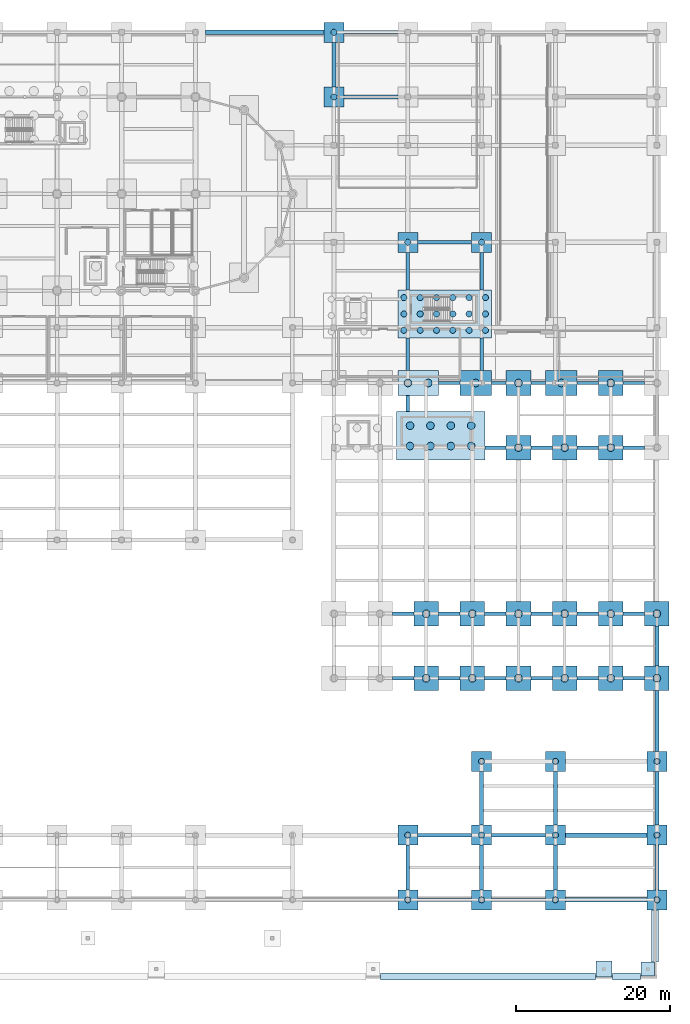
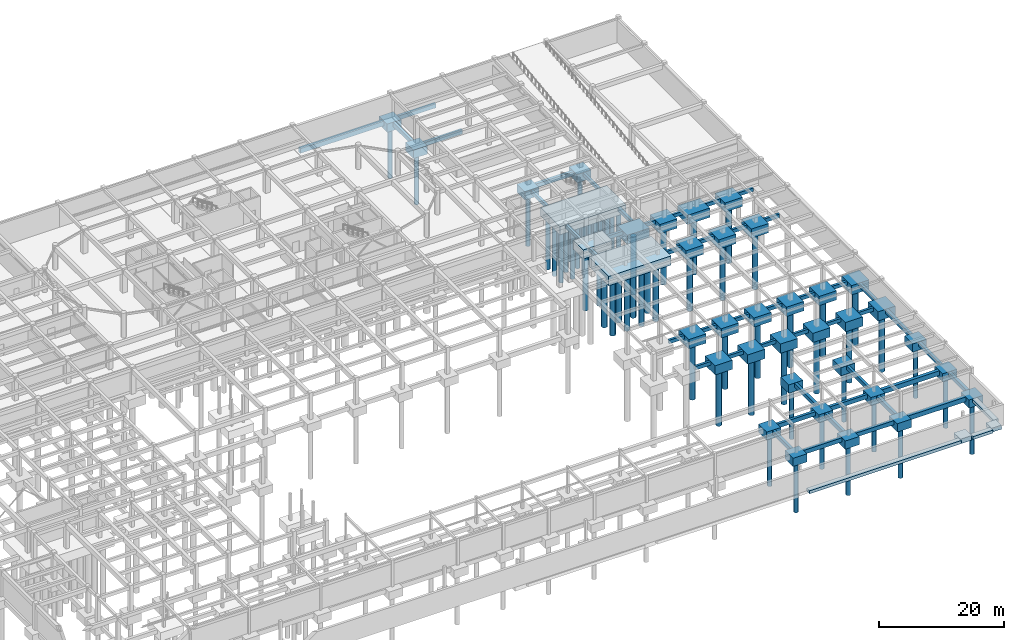
# One storey, part 6 of 37: 88 footings, 62 piles.
"""IFC4 building model written with IfcOpenShell, lengths in metres."""

from ifc_helpers import new_model, si_unit, direction, frame, origin, origin_2d, place, context, subcontext, project, spatial, rectangle, circle, extrude, material, material_profile, profile_set, type_object, element, save


model = new_model("IFC4")

# Units and contexts
model_context = context("Model", 3, precision=1e-05, world=origin(), true_north=direction((0.0, 1.0)))
body_context = subcontext(model_context, "Body", "Model", "MODEL_VIEW")
ifc_project = project(units=[si_unit("LENGTHUNIT", "METRE"), si_unit("AREAUNIT", "SQUARE_METRE"), si_unit("VOLUMEUNIT", "CUBIC_METRE"), si_unit("PLANEANGLEUNIT", "RADIAN"), si_unit("MASSUNIT", "GRAM", prefix="KILO")], contexts=[model_context])

# Site, building, storey
site_placement = place(None, origin())
site = spatial("IfcSite", under=ifc_project, at=site_placement, CompositionType="ELEMENT")
building_placement = place(site_placement, origin())
building = spatial("IfcBuilding", under=site, at=building_placement, Name="Tarnavel Promenade Courthouse", CompositionType="ELEMENT")
storey_placement = place(building_placement, frame((0.0, 0.0, -4.800048828125)))
storey = spatial("IfcBuildingStorey", under=building, at=storey_placement, Name="B01", CompositionType="ELEMENT", Elevation=-4.800048828125)

# Piles
ifc_material_1 = material(Name="Concrete C30/37", Category="concrete")
ifc_material_profile_1 = material_profile(ifc_material_1, circle(Radius=0.5, at=origin_2d()), Name="PILE D1000")
ifc_profile_set_1 = profile_set([ifc_material_profile_1], Name="Concrete C30/37")
pile_type_1 = type_object("IfcPileType", Name="Concrete C30/37 PIL-D1000 (PILE D1000)", PredefinedType="BORED", material=ifc_profile_set_1)
for number, where, z_axis, x_axis, name in (
    (1, (132.0, 28.800048828125, -2.119873046875), (0.0, 0.0, -1.0), (1.0, 0.0, 0.0), "Bored Pile 051-11"),
    (2, (138.0, 28.800048828125, -2.119873046875), (0.0, 0.0, -1.0), (1.0, 0.0, 0.0), "Bored Pile 052-11"),
    (3, (144.0, 28.800048828125, -2.119873046875), (0.0, 0.0, -1.0), (1.0, 0.0, 0.0), "Bored Pile 053-11"),
    (4, (150.0, 28.800048828125, -2.119873046875), (0.0, 0.0, -1.0), (1.0, 0.0, 0.0), "Bored Pile 054-11"),
    (5, (156.0, 28.800048828125, -2.119873046875), (0.0, 0.0, -1.0), (1.0, 0.0, 0.0), "Bored Pile 055-11"),
    (6, (162.0, 28.800048828125, -2.119873046875), (0.0, 0.0, -1.0), (1.0, 0.0, 0.0), "Bored Pile 056-11"),
    (7, (132.0, 37.199951171875, -2.119873046875), (0.0, 0.0, -1.0), (1.0, 0.0, 0.0), "Bored Pile 068-11"),
    (8, (138.0, 37.199951171875, -2.119873046875), (0.0, 0.0, -1.0), (1.0, 0.0, 0.0), "Bored Pile 069-11"),
    (9, (144.0, 37.199951171875, -2.119873046875), (0.0, 0.0, -1.0), (1.0, 0.0, 0.0), "Bored Pile 070-11"),
    (10, (150.0, 37.199951171875, -2.119873046875), (0.0, 0.0, -1.0), (1.0, 0.0, 0.0), "Bored Pile 071-11"),
    (11, (156.0, 37.199951171875, -2.119873046875), (0.0, 0.0, -1.0), (1.0, 0.0, 0.0), "Bored Pile 072-11"),
    (12, (162.0, 37.199951171875, -2.119873046875), (0.0, 0.0, -1.0), (1.0, 0.0, 0.0), "Bored Pile 073-11"),
    (13, (129.89990234375, 59.0, -2.119873046875), (0.0, 0.0, -1.0), (1.0, 0.0, 0.0), "Bored Pile 094-11"),
    (14, (129.89990234375, 61.64990234375, -2.119873046875), (0.0, 0.0, -1.0), (1.0, 0.0, 0.0), "Bored Pile 094-12"),
    (15, (132.550048828125, 59.0, -2.119873046875), (0.0, 0.0, -1.0), (1.0, 0.0, 0.0), "Bored Pile 094-21"),
    (16, (132.550048828125, 61.64990234375, -2.119873046875), (0.0, 0.0, -1.0), (1.0, 0.0, 0.0), "Bored Pile 094-22"),
    (17, (135.199951171875, 59.0, -2.119873046875), (0.0, 0.0, -1.0), (1.0, 0.0, 0.0), "Bored Pile 094-31"),
    (18, (135.199951171875, 61.64990234375, -2.119873046875), (0.0, 0.0, -1.0), (1.0, 0.0, 0.0), "Bored Pile 094-32"),
    (19, (137.85009765625, 59.0, -2.119873046875), (0.0, 0.0, -1.0), (1.0, 0.0, 0.0), "Bored Pile 094-41"),
    (20, (137.85009765625, 61.64990234375, -2.119873046875), (0.0, 0.0, -1.0), (1.0, 0.0, 0.0), "Bored Pile 094-42"),
    (21, (144.0, 58.800048828125, -2.119873046875), (0.0, 0.0, -1.0), (1.0, 0.0, 0.0), "Bored Pile 095-11"),
    (22, (150.0, 58.800048828125, -2.119873046875), (0.0, 0.0, -1.0), (1.0, 0.0, 0.0), "Bored Pile 096-11"),
    (23, (156.0, 58.800048828125, -2.119873046875), (0.0, 0.0, -1.0), (1.0, 0.0, 0.0), "Bored Pile 097-11"),
    (24, (129.625, 67.199951171875, -2.119873046875), (0.0, 0.0, -1.0), (1.0, 0.0, 0.0), "Bored Pile 107-11"),
    (25, (132.27490234375, 67.199951171875, -2.119873046875), (0.0, 0.0, -1.0), (1.0, 0.0, 0.0), "Bored Pile 107-21"),
    (26, (138.449951171875, 67.199951171875, -2.119873046875), (0.0, 0.0, -1.0), (1.0, 0.0, 0.0), "Bored Pile 108-11"),
    (27, (144.0, 67.199951171875, -2.119873046875), (0.0, 0.0, -1.0), (1.0, 0.0, 0.0), "Bored Pile 109-11"),
    (28, (149.550048828125, 67.199951171875, -2.119873046875), (0.0, 0.0, -1.0), (1.0, 0.0, 0.0), "Bored Pile 110-11"),
    (29, (156.0, 67.199951171875, -2.119873046875), (0.0, 0.0, -1.0), (1.0, 0.0, 0.0), "Bored Pile 111-11"),
):
    element("IfcPile", number, at=place(storey_placement, frame(where, z_axis=z_axis, x_axis=x_axis)), inside=storey, type_object=pile_type_1, Name=name, PredefinedType="BORED", context=body_context, shape_type="SweptSolid", body=[
        extrude(circle(Radius=0.5, at=origin_2d()), origin(), (0.0, 0.0, 1.0), 11.280029296875),
    ])
ifc_material_profile_2 = material_profile(ifc_material_1, circle(Radius=0.39990234375, at=origin_2d()), Name="PILE D800")
ifc_profile_set_2 = profile_set([ifc_material_profile_2], Name="Concrete C30/37")
pile_type_2 = type_object("IfcPileType", Name="Concrete C30/37 PIL-D800 (PILE D800)", PredefinedType="BORED", material=ifc_profile_set_2)
for number, where, z_axis, x_axis, name in (
    (30, (129.60009765625, 0.0, -1.919921875), (0.0, 0.0, -1.0), (1.0, 0.0, 0.0), "Bored Pile 013-11"),
    (31, (139.199951171875, 0.0, -1.919921875), (0.0, 0.0, -1.0), (1.0, 0.0, 0.0), "Bored Pile 014-11"),
    (32, (148.800048828125, 0.0, -1.919921875), (0.0, 0.0, -1.0), (1.0, 0.0, 0.0), "Bored Pile 015-11"),
    (33, (162.0, 0.0, -1.919921875), (0.0, 0.0, -1.0), (1.0, 0.0, 0.0), "Bored Pile 016-11"),
    (34, (129.60009765625, 8.39990234375, -1.919921875), (0.0, 0.0, -1.0), (1.0, 0.0, 0.0), "Bored Pile 029-11"),
    (35, (139.199951171875, 8.39990234375, -1.919921875), (0.0, 0.0, -1.0), (1.0, 0.0, 0.0), "Bored Pile 030-11"),
    (36, (148.800048828125, 8.39990234375, -1.919921875), (0.0, 0.0, -1.0), (1.0, 0.0, 0.0), "Bored Pile 031-11"),
    (37, (162.0, 8.39990234375, -1.919921875), (0.0, 0.0, -1.0), (1.0, 0.0, 0.0), "Bored Pile 032-11"),
    (38, (139.199951171875, 18.0, -1.919921875), (0.0, 0.0, -1.0), (1.0, 0.0, 0.0), "Bored Pile 044-11"),
    (39, (148.800048828125, 18.0, -1.919921875), (0.0, 0.0, -1.0), (1.0, 0.0, 0.0), "Bored Pile 045-11"),
    (40, (162.0, 18.0, -1.919921875), (0.0, 0.0, -1.0), (1.0, 0.0, 0.0), "Bored Pile 046-11"),
    (41, (129.10009765625, 74.054931640625, -1.919921875), (0.0, 0.0, -1.0), (1.0, 0.0, 0.0), "Bored Pile 133-11"),
    (42, (129.10009765625, 76.175048828125, -1.919921875), (0.0, 0.0, -1.0), (1.0, 0.0, 0.0), "Bored Pile 133-12"),
    (43, (129.10009765625, 78.294921875, -1.919921875), (0.0, 0.0, -1.0), (1.0, 0.0, 0.0), "Bored Pile 133-13"),
    (44, (131.219970703125, 74.054931640625, -1.919921875), (0.0, 0.0, -1.0), (1.0, 0.0, 0.0), "Bored Pile 133-21"),
    (45, (131.219970703125, 76.175048828125, -1.919921875), (0.0, 0.0, -1.0), (1.0, 0.0, 0.0), "Bored Pile 133-22"),
    (46, (131.219970703125, 78.294921875, -1.919921875), (0.0, 0.0, -1.0), (1.0, 0.0, 0.0), "Bored Pile 133-23"),
    (47, (133.340087890625, 74.054931640625, -1.919921875), (0.0, 0.0, -1.0), (1.0, 0.0, 0.0), "Bored Pile 133-31"),
    (48, (133.340087890625, 76.175048828125, -1.919921875), (0.0, 0.0, -1.0), (1.0, 0.0, 0.0), "Bored Pile 133-32"),
    (49, (133.340087890625, 78.294921875, -1.919921875), (0.0, 0.0, -1.0), (1.0, 0.0, 0.0), "Bored Pile 133-33"),
    (50, (135.4599609375, 74.054931640625, -1.919921875), (0.0, 0.0, -1.0), (1.0, 0.0, 0.0), "Bored Pile 133-41"),
    (51, (135.4599609375, 76.175048828125, -1.919921875), (0.0, 0.0, -1.0), (1.0, 0.0, 0.0), "Bored Pile 133-42"),
    (52, (135.4599609375, 78.294921875, -1.919921875), (0.0, 0.0, -1.0), (1.0, 0.0, 0.0), "Bored Pile 133-43"),
    (53, (137.580078125, 74.054931640625, -1.919921875), (0.0, 0.0, -1.0), (1.0, 0.0, 0.0), "Bored Pile 133-51"),
    (54, (137.580078125, 76.175048828125, -1.919921875), (0.0, 0.0, -1.0), (1.0, 0.0, 0.0), "Bored Pile 133-52"),
    (55, (137.580078125, 78.294921875, -1.919921875), (0.0, 0.0, -1.0), (1.0, 0.0, 0.0), "Bored Pile 133-53"),
    (56, (139.699951171875, 74.054931640625, -1.919921875), (0.0, 0.0, -1.0), (1.0, 0.0, 0.0), "Bored Pile 133-61"),
    (57, (139.699951171875, 76.175048828125, -1.919921875), (0.0, 0.0, -1.0), (1.0, 0.0, 0.0), "Bored Pile 133-62"),
    (58, (139.699951171875, 78.294921875, -1.919921875), (0.0, 0.0, -1.0), (1.0, 0.0, 0.0), "Bored Pile 133-63"),
    (59, (129.60009765625, 85.5, -1.919921875), (0.0, 0.0, -1.0), (1.0, 0.0, 0.0), "Bored Pile 150-11"),
    (60, (139.199951171875, 85.5, -1.919921875), (0.0, 0.0, -1.0), (1.0, 0.0, 0.0), "Bored Pile 151-11"),
    (61, (120.0, 104.39990234375, -1.919921875), (0.0, 0.0, -1.0), (1.0, 0.0, 0.0), "Bored Pile 180-11"),
    (62, (120.0, 112.800048828125, -1.919921875), (0.0, 0.0, -1.0), (1.0, 0.0, 0.0), "Bored Pile 197-11"),
):
    element("IfcPile", number, at=place(storey_placement, frame(where, z_axis=z_axis, x_axis=x_axis)), inside=storey, type_object=pile_type_2, Name=name, PredefinedType="BORED", context=body_context, shape_type="SweptSolid", body=[
        extrude(circle(Radius=0.39990234375, at=origin_2d()), origin(), (0.0, 0.0, 1.0), 10.080078125),
    ])

# Footings
ifc_material_2 = material(Name="Concrete C35/45", Category="concrete")
ifc_material_profile_3 = material_profile(ifc_material_2, rectangle(XDim=0.449951171875, YDim=0.699951171875, at=origin_2d()), Name="GB 450x700")
ifc_profile_set_3 = profile_set([ifc_material_profile_3], Name="Concrete C35/45")
footing_type_1 = type_object("IfcFootingType", Name="Concrete C35/45 FTG-GB-450x700 (GB 450x700)", PredefinedType="FOOTING_BEAM", material=ifc_profile_set_3)
for number, where, z_axis, x_axis, name in (
    (63, (127.60009765625, 28.800048828125, -0.77001953125), (1.0, 0.0, 0.0), (0.0, 1.0, 0.0), "Seismic Ground Tie Beam GB-X-041"),
    (64, (133.60009765625, 28.800048828125, -0.77001953125), (1.0, 0.0, 0.0), (0.0, 1.0, 0.0), "Seismic Ground Tie Beam GB-X-042"),
    (65, (139.60009765625, 28.800048828125, -0.77001953125), (1.0, 0.0, 0.0), (0.0, 1.0, 0.0), "Seismic Ground Tie Beam GB-X-043"),
    (66, (145.60009765625, 28.800048828125, -0.77001953125), (1.0, 0.0, 0.0), (0.0, 1.0, 0.0), "Seismic Ground Tie Beam GB-X-044"),
    (67, (151.60009765625, 28.800048828125, -0.77001953125), (1.0, 0.0, 0.0), (0.0, 1.0, 0.0), "Seismic Ground Tie Beam GB-X-045"),
    (68, (157.60009765625, 28.800048828125, -0.77001953125), (1.0, 0.0, 0.0), (0.0, 1.0, 0.0), "Seismic Ground Tie Beam GB-X-046"),
    (69, (127.60009765625, 37.199951171875, -0.77001953125), (1.0, 0.0, 0.0), (0.0, 1.0, 0.0), "Seismic Ground Tie Beam GB-X-056"),
    (70, (133.60009765625, 37.199951171875, -0.77001953125), (1.0, 0.0, 0.0), (0.0, 1.0, 0.0), "Seismic Ground Tie Beam GB-X-057"),
    (71, (139.60009765625, 37.199951171875, -0.77001953125), (1.0, 0.0, 0.0), (0.0, 1.0, 0.0), "Seismic Ground Tie Beam GB-X-058"),
    (72, (145.60009765625, 37.199951171875, -0.77001953125), (1.0, 0.0, 0.0), (0.0, 1.0, 0.0), "Seismic Ground Tie Beam GB-X-059"),
    (73, (151.60009765625, 37.199951171875, -0.77001953125), (1.0, 0.0, 0.0), (0.0, 1.0, 0.0), "Seismic Ground Tie Beam GB-X-060"),
    (74, (157.60009765625, 37.199951171875, -0.77001953125), (1.0, 0.0, 0.0), (0.0, 1.0, 0.0), "Seismic Ground Tie Beam GB-X-061"),
):
    element("IfcFooting", number, at=place(storey_placement, frame(where, z_axis=z_axis, x_axis=x_axis)), inside=storey, type_object=footing_type_1, Name=name, PredefinedType="FOOTING_BEAM", context=body_context, shape_type="SweptSolid", body=[
        extrude(rectangle(XDim=0.449951171875, YDim=0.699951171875, at=origin_2d()), origin(), (0.0, 0.0, 1.0), 2.7998046875),
    ])
footing_1_placement = place(storey_placement, frame((139.625, 58.800048828125, -0.77001953125), z_axis=(1.0, 0.0, 0.0), x_axis=(0.0, 1.0, 0.0)))
element("IfcFooting", 75, at=footing_1_placement, inside=storey, type_object=footing_type_1, Name="Seismic Ground Tie Beam GB-X-077", PredefinedType="FOOTING_BEAM", context=body_context, shape_type="SweptSolid", body=[
    extrude(rectangle(XDim=0.449951171875, YDim=0.699951171875, at=origin_2d()), origin(), (0.0, 0.0, 1.0), 2.77490234375),
])
for number, where, z_axis, x_axis, name in (
    (76, (145.60009765625, 58.800048828125, -0.77001953125), (1.0, 0.0, 0.0), (0.0, 1.0, 0.0), "Seismic Ground Tie Beam GB-X-078"),
    (77, (151.60009765625, 58.800048828125, -0.77001953125), (1.0, 0.0, 0.0), (0.0, 1.0, 0.0), "Seismic Ground Tie Beam GB-X-079"),
    (78, (157.60009765625, 58.800048828125, -0.77001953125), (1.0, 0.0, 0.0), (0.0, 1.0, 0.0), "Seismic Ground Tie Beam GB-X-080"),
    (79, (133.60009765625, 67.199951171875, -0.77001953125), (1.0, 0.0, 0.0), (0.0, 1.0, 0.0), "Seismic Ground Tie Beam GB-X-095"),
):
    element("IfcFooting", number, at=place(storey_placement, frame(where, z_axis=z_axis, x_axis=x_axis)), inside=storey, type_object=footing_type_1, Name=name, PredefinedType="FOOTING_BEAM", context=body_context, shape_type="SweptSolid", body=[
        extrude(rectangle(XDim=0.449951171875, YDim=0.699951171875, at=origin_2d()), origin(), (0.0, 0.0, 1.0), 2.7998046875),
    ])
for number, where, z_axis, x_axis, name in (
    (80, (140.5, 67.199951171875, -0.77001953125), (1.0, 0.0, 0.0), (0.0, 1.0, 0.0), "Seismic Ground Tie Beam GB-X-096"),
    (81, (145.60009765625, 67.199951171875, -0.77001953125), (1.0, 0.0, 0.0), (0.0, 1.0, 0.0), "Seismic Ground Tie Beam GB-X-097"),
):
    element("IfcFooting", number, at=place(storey_placement, frame(where, z_axis=z_axis, x_axis=x_axis)), inside=storey, type_object=footing_type_1, Name=name, PredefinedType="FOOTING_BEAM", context=body_context, shape_type="SweptSolid", body=[
        extrude(rectangle(XDim=0.449951171875, YDim=0.699951171875, at=origin_2d()), origin(), (0.0, 0.0, 1.0), 1.89990234375),
    ])
for number, where, z_axis, x_axis, name in (
    (82, (151.60009765625, 67.199951171875, -0.77001953125), (1.0, 0.0, 0.0), (0.0, 1.0, 0.0), "Seismic Ground Tie Beam GB-X-098"),
    (83, (157.60009765625, 67.199951171875, -0.77001953125), (1.0, 0.0, 0.0), (0.0, 1.0, 0.0), "Seismic Ground Tie Beam GB-X-099"),
):
    element("IfcFooting", number, at=place(storey_placement, frame(where, z_axis=z_axis, x_axis=x_axis)), inside=storey, type_object=footing_type_1, Name=name, PredefinedType="FOOTING_BEAM", context=body_context, shape_type="SweptSolid", body=[
        extrude(rectangle(XDim=0.449951171875, YDim=0.699951171875, at=origin_2d()), origin(), (0.0, 0.0, 1.0), 2.7998046875),
    ])
footing_2_placement = place(storey_placement, frame((129.60009765625, 63.47509765625, -0.77001953125), z_axis=(0.0, 1.0, 0.0), x_axis=(-1.0, 0.0, 0.0)))
element("IfcFooting", 84, at=footing_2_placement, inside=storey, type_object=footing_type_1, Name="Seismic Ground Tie Beam GB-Y-259", PredefinedType="FOOTING_BEAM", context=body_context, shape_type="SweptSolid", body=[
    extrude(rectangle(XDim=0.449951171875, YDim=0.699951171875, at=origin_2d()), origin(), (0.0, 0.0, 1.0), 2.125),
])
footing_3_placement = place(storey_placement, frame((129.60009765625, 68.800048828125, -0.77001953125), z_axis=(0.0, 1.0, 0.0), x_axis=(-1.0, 0.0, 0.0)))
element("IfcFooting", 85, at=footing_3_placement, inside=storey, type_object=footing_type_1, Name="Seismic Ground Tie Beam GB-Y-260", PredefinedType="FOOTING_BEAM", context=body_context, shape_type="SweptSolid", body=[
    extrude(rectangle(XDim=0.449951171875, YDim=0.699951171875, at=origin_2d()), origin(), (0.0, 0.0, 1.0), 4.27490234375),
])
footing_4_placement = place(storey_placement, frame((129.60009765625, 79.27490234375, -0.77001953125), z_axis=(0.0, 1.0, 0.0), x_axis=(-1.0, 0.0, 0.0)))
element("IfcFooting", 86, at=footing_4_placement, inside=storey, type_object=footing_type_1, Name="Seismic Ground Tie Beam GB-Y-261", PredefinedType="FOOTING_BEAM", context=body_context, shape_type="SweptSolid", body=[
    extrude(rectangle(XDim=0.449951171875, YDim=0.699951171875, at=origin_2d()), origin(), (0.0, 0.0, 1.0), 4.925048828125),
])
footing_5_placement = place(storey_placement, frame((139.199951171875, 68.800048828125, -0.77001953125), z_axis=(0.0, 1.0, 0.0), x_axis=(-1.0, 0.0, 0.0)))
element("IfcFooting", 87, at=footing_5_placement, inside=storey, type_object=footing_type_1, Name="Seismic Ground Tie Beam GB-Y-267", PredefinedType="FOOTING_BEAM", context=body_context, shape_type="SweptSolid", body=[
    extrude(rectangle(XDim=0.449951171875, YDim=0.699951171875, at=origin_2d()), origin(), (0.0, 0.0, 1.0), 4.27490234375),
])
footing_6_placement = place(storey_placement, frame((139.199951171875, 79.27490234375, -0.77001953125), z_axis=(0.0, 1.0, 0.0), x_axis=(-1.0, 0.0, 0.0)))
element("IfcFooting", 88, at=footing_6_placement, inside=storey, type_object=footing_type_1, Name="Seismic Ground Tie Beam GB-Y-268", PredefinedType="FOOTING_BEAM", context=body_context, shape_type="SweptSolid", body=[
    extrude(rectangle(XDim=0.449951171875, YDim=0.699951171875, at=origin_2d()), origin(), (0.0, 0.0, 1.0), 4.925048828125),
])
ifc_material_profile_4 = material_profile(ifc_material_2, rectangle(XDim=0.5, YDim=0.800048828125, at=origin_2d()), Name="GB 500x800")
ifc_profile_set_4 = profile_set([ifc_material_profile_4], Name="Concrete C35/45")
footing_type_2 = type_object("IfcFootingType", Name="Concrete C35/45 FTG-GB-500x800 (GB 500x800)", PredefinedType="FOOTING_BEAM", material=ifc_profile_set_4)
for number, where, z_axis, x_axis, name in (
    (89, (130.89990234375, 0.0, -0.820068359375), (1.0, 0.0, 0.0), (0.0, 1.0, 0.0), "Seismic Ground Tie Beam GB-X-013"),
    (90, (140.5, 0.0, -0.820068359375), (1.0, 0.0, 0.0), (0.0, 1.0, 0.0), "Seismic Ground Tie Beam GB-X-014"),
    (91, (130.89990234375, 8.39990234375, -0.820068359375), (1.0, 0.0, 0.0), (0.0, 1.0, 0.0), "Seismic Ground Tie Beam GB-X-028"),
    (92, (140.5, 8.39990234375, -0.820068359375), (1.0, 0.0, 0.0), (0.0, 1.0, 0.0), "Seismic Ground Tie Beam GB-X-029"),
    (93, (130.89990234375, 85.5, -0.820068359375), (1.0, 0.0, 0.0), (0.0, 1.0, 0.0), "Seismic Ground Tie Beam GB-X-124"),
    (94, (121.300048828125, 104.39990234375, -0.820068359375), (1.0, 0.0, 0.0), (0.0, 1.0, 0.0), "Seismic Ground Tie Beam GB-X-145"),
    (95, (121.300048828125, 112.800048828125, -0.820068359375), (1.0, 0.0, 0.0), (0.0, 1.0, 0.0), "Seismic Ground Tie Beam GB-X-161"),
):
    element("IfcFooting", number, at=place(storey_placement, frame(where, z_axis=z_axis, x_axis=x_axis)), inside=storey, type_object=footing_type_2, Name=name, PredefinedType="FOOTING_BEAM", context=body_context, shape_type="SweptSolid", body=[
        extrude(rectangle(XDim=0.5, YDim=0.800048828125, at=origin_2d()), origin(), (0.0, 0.0, 1.0), 7.0),
    ])
for number, where, z_axis, x_axis, name in (
    (96, (120.0, 105.699951171875, -0.820068359375), (0.0, 1.0, 0.0), (-1.0, 0.0, 0.0), "Seismic Ground Tie Beam GB-Y-257"),
    (97, (129.60009765625, 1.300048828125, -0.820068359375), (0.0, 1.0, 0.0), (-1.0, 0.0, 0.0), "Seismic Ground Tie Beam GB-Y-258"),
    (98, (139.199951171875, 1.300048828125, -0.820068359375), (0.0, 1.0, 0.0), (-1.0, 0.0, 0.0), "Seismic Ground Tie Beam GB-Y-265"),
):
    element("IfcFooting", number, at=place(storey_placement, frame(where, z_axis=z_axis, x_axis=x_axis)), inside=storey, type_object=footing_type_2, Name=name, PredefinedType="FOOTING_BEAM", context=body_context, shape_type="SweptSolid", body=[
        extrude(rectangle(XDim=0.5, YDim=0.800048828125, at=origin_2d()), origin(), (0.0, 0.0, 1.0), 5.800048828125),
    ])
footing_7_placement = place(storey_placement, frame((139.199951171875, 9.699951171875, -0.820068359375), z_axis=(0.0, 1.0, 0.0), x_axis=(-1.0, 0.0, 0.0)))
element("IfcFooting", 99, at=footing_7_placement, inside=storey, type_object=footing_type_2, Name="Seismic Ground Tie Beam GB-Y-266", PredefinedType="FOOTING_BEAM", context=body_context, shape_type="SweptSolid", body=[
    extrude(rectangle(XDim=0.5, YDim=0.800048828125, at=origin_2d()), origin(), (0.0, 0.0, 1.0), 7.0),
])
footing_8_placement = place(storey_placement, frame((148.800048828125, 1.300048828125, -0.820068359375), z_axis=(0.0, 1.0, 0.0), x_axis=(-1.0, 0.0, 0.0)))
element("IfcFooting", 100, at=footing_8_placement, inside=storey, type_object=footing_type_2, Name="Seismic Ground Tie Beam GB-Y-272", PredefinedType="FOOTING_BEAM", context=body_context, shape_type="SweptSolid", body=[
    extrude(rectangle(XDim=0.5, YDim=0.800048828125, at=origin_2d()), origin(), (0.0, 0.0, 1.0), 5.800048828125),
])
footing_9_placement = place(storey_placement, frame((148.800048828125, 9.699951171875, -0.820068359375), z_axis=(0.0, 1.0, 0.0), x_axis=(-1.0, 0.0, 0.0)))
element("IfcFooting", 101, at=footing_9_placement, inside=storey, type_object=footing_type_2, Name="Seismic Ground Tie Beam GB-Y-273", PredefinedType="FOOTING_BEAM", context=body_context, shape_type="SweptSolid", body=[
    extrude(rectangle(XDim=0.5, YDim=0.800048828125, at=origin_2d()), origin(), (0.0, 0.0, 1.0), 7.0),
])
footing_10_placement = place(storey_placement, frame((162.0, 1.300048828125, -0.820068359375), z_axis=(0.0, 1.0, 0.0), x_axis=(-1.0, 0.0, 0.0)))
element("IfcFooting", 102, at=footing_10_placement, inside=storey, type_object=footing_type_2, Name="Seismic Ground Tie Beam GB-Y-279", PredefinedType="FOOTING_BEAM", context=body_context, shape_type="SweptSolid", body=[
    extrude(rectangle(XDim=0.5, YDim=0.800048828125, at=origin_2d()), origin(), (0.0, 0.0, 1.0), 5.800048828125),
])
footing_11_placement = place(storey_placement, frame((162.0, 9.699951171875, -0.820068359375), z_axis=(0.0, 1.0, 0.0), x_axis=(-1.0, 0.0, 0.0)))
element("IfcFooting", 103, at=footing_11_placement, inside=storey, type_object=footing_type_2, Name="Seismic Ground Tie Beam GB-Y-280", PredefinedType="FOOTING_BEAM", context=body_context, shape_type="SweptSolid", body=[
    extrude(rectangle(XDim=0.5, YDim=0.800048828125, at=origin_2d()), origin(), (0.0, 0.0, 1.0), 7.0),
])
footing_12_placement = place(storey_placement, frame((162.0, 19.300048828125, -0.820068359375), z_axis=(0.0, 1.0, 0.0), x_axis=(-1.0, 0.0, 0.0)))
element("IfcFooting", 104, at=footing_12_placement, inside=storey, type_object=footing_type_2, Name="Seismic Ground Tie Beam GB-Y-281", PredefinedType="FOOTING_BEAM", context=body_context, shape_type="SweptSolid", body=[
    extrude(rectangle(XDim=0.5, YDim=0.800048828125, at=origin_2d()), origin(), (0.0, 0.0, 1.0), 7.89990234375),
])
footing_13_placement = place(storey_placement, frame((162.0, 30.39990234375, -0.820068359375), z_axis=(0.0, 1.0, 0.0), x_axis=(-1.0, 0.0, 0.0)))
element("IfcFooting", 105, at=footing_13_placement, inside=storey, type_object=footing_type_2, Name="Seismic Ground Tie Beam GB-Y-282", PredefinedType="FOOTING_BEAM", context=body_context, shape_type="SweptSolid", body=[
    extrude(rectangle(XDim=0.5, YDim=0.800048828125, at=origin_2d()), origin(), (0.0, 0.0, 1.0), 5.2001953125),
])
ifc_material_profile_5 = material_profile(ifc_material_2, rectangle(XDim=0.60009765625, YDim=0.89990234375, at=origin_2d()), Name="GB 600x900")
ifc_profile_set_5 = profile_set([ifc_material_profile_5], Name="Concrete C35/45")
footing_type_3 = type_object("IfcFootingType", Name="Concrete C35/45 FTG-GB-600x900 (GB 600x900)", PredefinedType="FOOTING_BEAM", material=ifc_profile_set_5)
for number, where, z_axis, x_axis, name in (
    (106, (150.10009765625, 0.0, -0.869873046875), (1.0, 0.0, 0.0), (0.0, 1.0, 0.0), "Seismic Ground Tie Beam GB-X-015"),
    (107, (150.10009765625, 8.39990234375, -0.869873046875), (1.0, 0.0, 0.0), (0.0, 1.0, 0.0), "Seismic Ground Tie Beam GB-X-030"),
):
    element("IfcFooting", number, at=place(storey_placement, frame(where, z_axis=z_axis, x_axis=x_axis)), inside=storey, type_object=footing_type_3, Name=name, PredefinedType="FOOTING_BEAM", context=body_context, shape_type="SweptSolid", body=[
        extrude(rectangle(XDim=0.60009765625, YDim=0.89990234375, at=origin_2d()), origin(), (0.0, 0.0, 1.0), 10.599853515625),
    ])
footing_14_placement = place(storey_placement, frame((103.300048828125, 112.800048828125, -0.869873046875), z_axis=(1.0, 0.0, 0.0), x_axis=(0.0, 1.0, 0.0)))
element("IfcFooting", 108, at=footing_14_placement, inside=storey, type_object=footing_type_3, Name="Seismic Ground Tie Beam GB-X-160", PredefinedType="FOOTING_BEAM", context=body_context, shape_type="SweptSolid", body=[
    extrude(rectangle(XDim=0.60009765625, YDim=0.89990234375, at=origin_2d()), origin(), (0.0, 0.0, 1.0), 15.39990234375),
])
footing_type_4 = type_object("IfcFootingType", Name="Concrete C35/45 FTG-PAD-1800 (1800x1800x800)", PredefinedType="PAD_FOOTING", material=ifc_material_2)
footing_15_placement = place(storey_placement, frame((160.800048828125, -9.0, -1.22021484375), z_axis=(0.0, 0.0, 1.0), x_axis=(1.0, 0.0, 0.0)))
element("IfcFooting", 109, at=footing_15_placement, inside=storey, type_object=footing_type_4, Name="Frost-Depth Plinth Pad Footing PF-11", PredefinedType="PAD_FOOTING", context=body_context, shape_type="SweptSolid", body=[
    extrude(rectangle(XDim=1.800048828125, YDim=1.800048828125, at=origin_2d()), origin(), (0.0, 0.0, 1.0), 0.800048828125),
])
footing_type_5 = type_object("IfcFootingType", Name="Concrete C35/45 FTG-PAD-2100 (2100x2100x900)", PredefinedType="PAD_FOOTING", material=ifc_material_2)
footing_16_placement = place(storey_placement, frame((155.10009765625, -9.0, -1.31982421875), z_axis=(0.0, 0.0, 1.0), x_axis=(1.0, 0.0, 0.0)))
element("IfcFooting", 110, at=footing_16_placement, inside=storey, type_object=footing_type_5, Name="Frost-Depth Plinth Pad Footing PF-08", PredefinedType="PAD_FOOTING", context=body_context, shape_type="SweptSolid", body=[
    extrude(rectangle(XDim=2.10009765625, YDim=2.10009765625, at=origin_2d()), origin(), (0.0, 0.0, 1.0), 0.89990234375),
])
ifc_material_profile_6 = material_profile(ifc_material_2, rectangle(XDim=0.89990234375, YDim=0.60009765625, at=origin_2d()), Name="SF 900x600")
ifc_profile_set_6 = profile_set([ifc_material_profile_6], Name="Concrete C35/45")
footing_type_6 = type_object("IfcFootingType", Name="Concrete C35/45 FTG-SF-900x600 (SF 900x600)", PredefinedType="STRIP_FOOTING", material=ifc_profile_set_6)
footing_17_placement = place(storey_placement, frame((126.050048828125, -9.97998046875, -0.719970703125), z_axis=(1.0, 0.0, 0.0), x_axis=(0.0, 1.0, 0.0)))
element("IfcFooting", 111, at=footing_17_placement, inside=storey, type_object=footing_type_6, Name="Plinth Frost-Skirt Strip Footing X-004", PredefinedType="STRIP_FOOTING", context=body_context, shape_type="SweptSolid", body=[
    extrude(rectangle(XDim=0.89990234375, YDim=0.60009765625, at=origin_2d()), origin(), (0.0, 0.0, 1.0), 27.949951171875),
])
footing_18_placement = place(storey_placement, frame((156.199951171875, -9.97998046875, -0.719970703125), z_axis=(1.0, 0.0, 0.0), x_axis=(0.0, 1.0, 0.0)))
element("IfcFooting", 112, at=footing_18_placement, inside=storey, type_object=footing_type_6, Name="Plinth Frost-Skirt Strip Footing X-005", PredefinedType="STRIP_FOOTING", context=body_context, shape_type="SweptSolid", body=[
    extrude(rectangle(XDim=0.89990234375, YDim=0.60009765625, at=origin_2d()), origin(), (0.0, 0.0, 1.0), 3.650146484375),
])
footing_19_placement = place(storey_placement, frame((161.75, -8.10009765625, -0.719970703125), z_axis=(0.0, 1.0, 0.0), x_axis=(-1.0, 0.0, 0.0)))
element("IfcFooting", 113, at=footing_19_placement, inside=storey, type_object=footing_type_6, Name="Plinth Frost-Skirt Strip Footing Y-007", PredefinedType="STRIP_FOOTING", context=body_context, shape_type="SweptSolid", body=[
    extrude(rectangle(XDim=0.89990234375, YDim=0.60009765625, at=origin_2d()), origin(), (0.0, 0.0, 1.0), 6.800048828125),
])
footing_type_7 = type_object("IfcFootingType", Name="Concrete C35/45 Pile Cap PC-01 (2600x2600x1600)", PredefinedType="PILE_CAP", material=ifc_material_2)
for number, where, z_axis, x_axis, name in (
    (114, (129.60009765625, 0.0, -2.02001953125), (0.0, 0.0, 1.0), (1.0, 0.0, 0.0), "Pile Cap 013"),
    (115, (139.199951171875, 0.0, -2.02001953125), (0.0, 0.0, 1.0), (1.0, 0.0, 0.0), "Pile Cap 014"),
    (116, (148.800048828125, 0.0, -2.02001953125), (0.0, 0.0, 1.0), (1.0, 0.0, 0.0), "Pile Cap 015"),
    (117, (162.0, 0.0, -2.02001953125), (0.0, 0.0, 1.0), (1.0, 0.0, 0.0), "Pile Cap 016"),
    (118, (129.60009765625, 8.39990234375, -2.02001953125), (0.0, 0.0, 1.0), (1.0, 0.0, 0.0), "Pile Cap 029"),
    (119, (139.199951171875, 8.39990234375, -2.02001953125), (0.0, 0.0, 1.0), (1.0, 0.0, 0.0), "Pile Cap 030"),
    (120, (148.800048828125, 8.39990234375, -2.02001953125), (0.0, 0.0, 1.0), (1.0, 0.0, 0.0), "Pile Cap 031"),
    (121, (162.0, 8.39990234375, -2.02001953125), (0.0, 0.0, 1.0), (1.0, 0.0, 0.0), "Pile Cap 032"),
    (122, (139.199951171875, 18.0, -2.02001953125), (0.0, 0.0, 1.0), (1.0, 0.0, 0.0), "Pile Cap 044"),
    (123, (148.800048828125, 18.0, -2.02001953125), (0.0, 0.0, 1.0), (1.0, 0.0, 0.0), "Pile Cap 045"),
    (124, (162.0, 18.0, -2.02001953125), (0.0, 0.0, 1.0), (1.0, 0.0, 0.0), "Pile Cap 046"),
    (125, (129.60009765625, 85.5, -2.02001953125), (0.0, 0.0, 1.0), (1.0, 0.0, 0.0), "Pile Cap 150"),
    (126, (139.199951171875, 85.5, -2.02001953125), (0.0, 0.0, 1.0), (1.0, 0.0, 0.0), "Pile Cap 151"),
    (127, (120.0, 104.39990234375, -2.02001953125), (0.0, 0.0, 1.0), (1.0, 0.0, 0.0), "Pile Cap 180"),
    (128, (120.0, 112.800048828125, -2.02001953125), (0.0, 0.0, 1.0), (1.0, 0.0, 0.0), "Pile Cap 197"),
):
    element("IfcFooting", number, at=place(storey_placement, frame(where, z_axis=z_axis, x_axis=x_axis)), inside=storey, type_object=footing_type_7, Name=name, PredefinedType="PILE_CAP", context=body_context, shape_type="SweptSolid", body=[
        extrude(rectangle(XDim=2.60009765625, YDim=2.60009765625, at=origin_2d()), origin(), (0.0, 0.0, 1.0), 1.60009765625),
    ])
footing_type_8 = type_object("IfcFootingType", Name="Concrete C35/45 Pile Cap PC-06 (3200x3200x1800)", PredefinedType="PILE_CAP", material=ifc_material_2)
for number, where, z_axis, x_axis, name in (
    (129, (132.0, 28.800048828125, -2.22021484375), (0.0, 0.0, 1.0), (1.0, 0.0, 0.0), "Pile Cap 051"),
    (130, (138.0, 28.800048828125, -2.22021484375), (0.0, 0.0, 1.0), (1.0, 0.0, 0.0), "Pile Cap 052"),
    (131, (144.0, 28.800048828125, -2.22021484375), (0.0, 0.0, 1.0), (1.0, 0.0, 0.0), "Pile Cap 053"),
    (132, (150.0, 28.800048828125, -2.22021484375), (0.0, 0.0, 1.0), (1.0, 0.0, 0.0), "Pile Cap 054"),
    (133, (156.0, 28.800048828125, -2.22021484375), (0.0, 0.0, 1.0), (1.0, 0.0, 0.0), "Pile Cap 055"),
    (134, (162.0, 28.800048828125, -2.22021484375), (0.0, 0.0, 1.0), (1.0, 0.0, 0.0), "Pile Cap 056"),
    (135, (132.0, 37.199951171875, -2.22021484375), (0.0, 0.0, 1.0), (1.0, 0.0, 0.0), "Pile Cap 068"),
    (136, (138.0, 37.199951171875, -2.22021484375), (0.0, 0.0, 1.0), (1.0, 0.0, 0.0), "Pile Cap 069"),
    (137, (144.0, 37.199951171875, -2.22021484375), (0.0, 0.0, 1.0), (1.0, 0.0, 0.0), "Pile Cap 070"),
    (138, (150.0, 37.199951171875, -2.22021484375), (0.0, 0.0, 1.0), (1.0, 0.0, 0.0), "Pile Cap 071"),
    (139, (156.0, 37.199951171875, -2.22021484375), (0.0, 0.0, 1.0), (1.0, 0.0, 0.0), "Pile Cap 072"),
    (140, (162.0, 37.199951171875, -2.22021484375), (0.0, 0.0, 1.0), (1.0, 0.0, 0.0), "Pile Cap 073"),
    (141, (144.0, 58.800048828125, -2.22021484375), (0.0, 0.0, 1.0), (1.0, 0.0, 0.0), "Pile Cap 095"),
    (142, (150.0, 58.800048828125, -2.22021484375), (0.0, 0.0, 1.0), (1.0, 0.0, 0.0), "Pile Cap 096"),
    (143, (156.0, 58.800048828125, -2.22021484375), (0.0, 0.0, 1.0), (1.0, 0.0, 0.0), "Pile Cap 097"),
    (144, (144.0, 67.199951171875, -2.22021484375), (0.0, 0.0, 1.0), (1.0, 0.0, 0.0), "Pile Cap 109"),
    (145, (156.0, 67.199951171875, -2.22021484375), (0.0, 0.0, 1.0), (1.0, 0.0, 0.0), "Pile Cap 111"),
):
    element("IfcFooting", number, at=place(storey_placement, frame(where, z_axis=z_axis, x_axis=x_axis)), inside=storey, type_object=footing_type_8, Name=name, PredefinedType="PILE_CAP", context=body_context, shape_type="SweptSolid", body=[
        extrude(rectangle(XDim=3.199951171875, YDim=3.199951171875, at=origin_2d()), origin(), (0.0, 0.0, 1.0), 1.800048828125),
    ])
footing_type_9 = type_object("IfcFootingType", Name="Concrete C35/45 Pile Cap PC-10 (11500x6300x1800)", PredefinedType="PILE_CAP", material=ifc_material_2)
footing_20_placement = place(storey_placement, frame((133.875, 60.324951171875, -2.22021484375), z_axis=(0.0, 0.0, 1.0), x_axis=(1.0, 0.0, 0.0)))
element("IfcFooting", 146, at=footing_20_placement, inside=storey, type_object=footing_type_9, Name="Pile Cap 094", PredefinedType="PILE_CAP", context=body_context, shape_type="SweptSolid", body=[
    extrude(rectangle(XDim=11.5, YDim=6.300048828125, at=origin_2d()), origin(), (0.0, 0.0, 1.0), 1.800048828125),
])
footing_type_10 = type_object("IfcFootingType", Name="Concrete C35/45 Pile Cap PC-11 (5300x3200x1800)", PredefinedType="PILE_CAP", material=ifc_material_2)
footing_21_placement = place(storey_placement, frame((130.949951171875, 67.199951171875, -2.22021484375), z_axis=(0.0, 0.0, 1.0), x_axis=(1.0, 0.0, 0.0)))
element("IfcFooting", 147, at=footing_21_placement, inside=storey, type_object=footing_type_10, Name="Pile Cap 107", PredefinedType="PILE_CAP", context=body_context, shape_type="SweptSolid", body=[
    extrude(rectangle(XDim=5.300048828125, YDim=3.199951171875, at=origin_2d()), origin(), (0.0, 0.0, 1.0), 1.800048828125),
])
footing_type_11 = type_object("IfcFootingType", Name="Concrete C35/45 Pile Cap PC-12 (4100x3200x1800)", PredefinedType="PILE_CAP", material=ifc_material_2)
for number, where, z_axis, x_axis, name in (
    (148, (138.449951171875, 67.199951171875, -2.22021484375), (0.0, 0.0, 1.0), (1.0, 0.0, 0.0), "Pile Cap 108"),
    (149, (149.550048828125, 67.199951171875, -2.22021484375), (0.0, 0.0, 1.0), (1.0, 0.0, 0.0), "Pile Cap 110"),
):
    element("IfcFooting", number, at=place(storey_placement, frame(where, z_axis=z_axis, x_axis=x_axis)), inside=storey, type_object=footing_type_11, Name=name, PredefinedType="PILE_CAP", context=body_context, shape_type="SweptSolid", body=[
        extrude(rectangle(XDim=4.10009765625, YDim=3.199951171875, at=origin_2d()), origin(), (0.0, 0.0, 1.0), 1.800048828125),
    ])
footing_type_12 = type_object("IfcFootingType", Name="Concrete C35/45 Pile Cap PC-15 (12200x6200x1600)", PredefinedType="PILE_CAP", material=ifc_material_2)
footing_22_placement = place(storey_placement, frame((134.39990234375, 76.175048828125, -2.02001953125), z_axis=(0.0, 0.0, 1.0), x_axis=(1.0, 0.0, 0.0)))
element("IfcFooting", 150, at=footing_22_placement, inside=storey, type_object=footing_type_12, Name="Pile Cap 133", PredefinedType="PILE_CAP", context=body_context, shape_type="SweptSolid", body=[
    extrude(rectangle(XDim=12.199951171875, YDim=6.199951171875, at=origin_2d()), origin(), (0.0, 0.0, 1.0), 1.60009765625),
])

save(model, "model.ifc")
